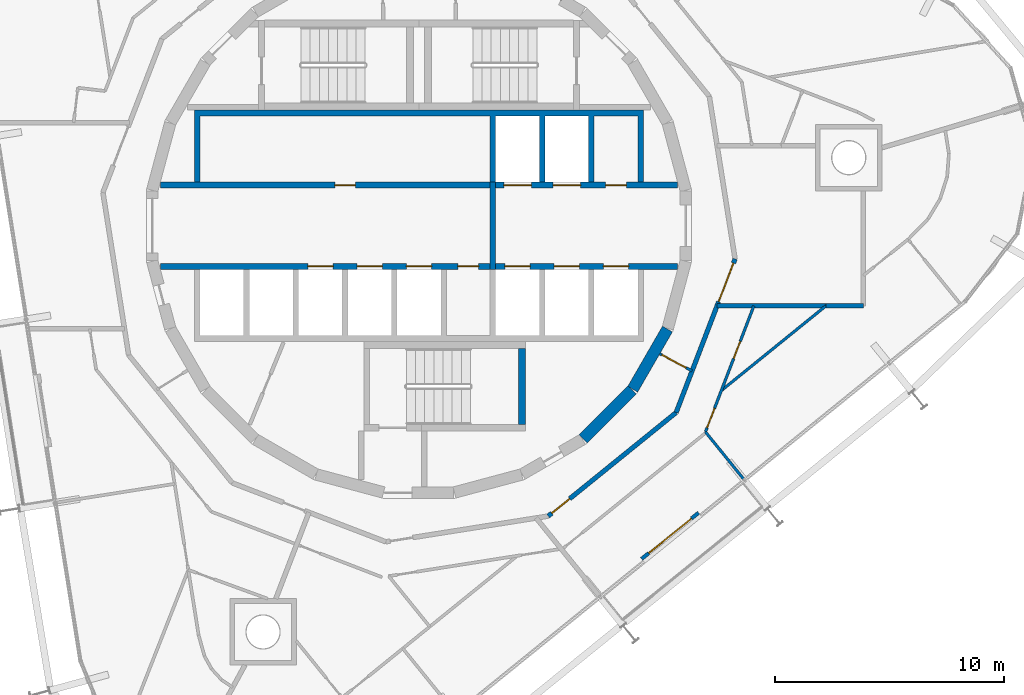
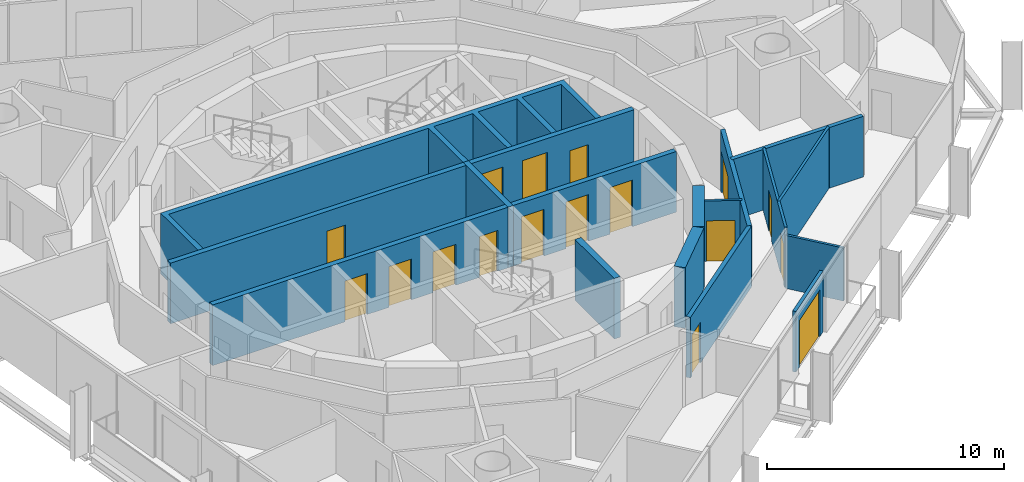
# One storey, part 13 of 17: 18 walls, 17 doors, 17 openings.
"""IFC4 building model written with IfcOpenShell, lengths in metres."""

from ifc_helpers import new_model, si_unit, direction, frame, frame_2d, origin, place, context, subcontext, project, spatial, polyline, rectangle, outline, extrude, material, layer, layer_set, type_object, element, fill, save


model = new_model("IFC4")

# Units and contexts
model_context = context("Model", 3, precision=1e-05, world=origin(), true_north=direction((0.0, 1.0)))
body_context = subcontext(model_context, "Body", "Model", "MODEL_VIEW")
ifc_project = project(units=[si_unit("LENGTHUNIT", "METRE"), si_unit("AREAUNIT", "SQUARE_METRE"), si_unit("VOLUMEUNIT", "CUBIC_METRE"), si_unit("PLANEANGLEUNIT", "RADIAN"), si_unit("MASSUNIT", "GRAM", prefix="KILO")], contexts=[model_context])

# Site, building, storey
site_placement = place(None, origin())
site = spatial("IfcSite", under=ifc_project, at=site_placement, CompositionType="ELEMENT")
building_placement = place(site_placement, origin())
building = spatial("IfcBuilding", under=site, at=building_placement, Name="Spindle Arch Residences", CompositionType="ELEMENT")
storey_placement = place(building_placement, frame((0.0, 0.0, 266.89990234375)))
storey = spatial("IfcBuildingStorey", under=building, at=storey_placement, Name="L68", CompositionType="ELEMENT", Elevation=266.89990234375)

# Walls
ifc_material_1 = material(Name="Concrete C50/60", Category="concrete")
ifc_layer_1 = layer(ifc_material_1, 0.5)
ifc_layer_set_1 = layer_set([ifc_layer_1], Name="Core outline wall 500")
wall_type_1 = type_object("IfcWallType", Name="Core outline wall 500", PredefinedType="SHEAR", material=ifc_layer_set_1)
wall_1_placement = place(storey_placement, frame((7.163818359375, -9.30810546875, 0.0), z_axis=(0.0, 0.0, 1.0), x_axis=(0.707106781187, 0.707106781187, 0.0)))
element("IfcWall", 1, at=wall_1_placement, inside=storey, type_object=wall_type_1, Name="Core outline wall 3", PredefinedType="SHEAR", context=body_context, shape_type="SweptSolid", body=[
    extrude(rectangle(XDim=3.032470703125, YDim=0.5, at=frame_2d((1.51611328125, 0.0))), origin(), (0.0, 0.0, 1.0), 3.1201171875),
])
wall_2_placement = place(storey_placement, frame((9.32861328125, -7.13671875, 0.0), z_axis=(0.0, 0.0, 1.0), x_axis=(0.500087131594, 0.865975092491, 0.0)))
element("IfcWall", 2, at=wall_2_placement, inside=storey, type_object=wall_type_1, Name="Core outline wall 4", PredefinedType="SHEAR", context=body_context, shape_type="SweptSolid", body=[
    extrude(rectangle(XDim=3.03271484375, YDim=0.5, at=frame_2d((1.516357421875, 0.0))), origin(), (0.0, 0.0, 1.0), 3.1201171875),
])

# Wall, opening, door
ifc_material_2 = material(Name="Plasterboard on steel studs", Category="steel")
ifc_layer_2 = layer(ifc_material_2, 0.1201171875)
ifc_layer_set_2 = layer_set([ifc_layer_2], Name="Corridor division wall 120")
wall_type_2 = type_object("IfcWallType", Name="Corridor division wall 120", PredefinedType="PARTITIONING", material=ifc_layer_set_2)
wall_3_placement = place(storey_placement, frame((10.510986328125, -5.5888671875, 0.0), z_axis=(0.0, 0.0, 1.0), x_axis=(0.882983002821, -0.469404960273, 0.0)))
wall_3 = element("IfcWall", 3, at=wall_3_placement, inside=storey, type_object=wall_type_2, Name="Corridor division wall R7A1-W002", PredefinedType="PARTITIONING", context=body_context, shape_type="SweptSolid", body=[
    extrude(rectangle(XDim=1.59619140625, YDim=0.1201171875, at=frame_2d((0.798095703125, 0.0))), origin(), (0.0, 0.0, 1.0), 3.1201171875),
])
opening_1_placement = place(wall_3_placement, frame((0.10009765625, 0.0, 0.0)))
opening_1 = element("IfcOpeningElement", 4, at=opening_1_placement, cuts=wall_3, Name="Opening R7A1-CD02", PredefinedType="OPENING", context=body_context, shape_type="SweptSolid", body=[
    extrude(rectangle(XDim=1.199951171875, YDim=2.10009765625, at=frame_2d((0.60009765625, 1.050048828125))), frame((0.0, 0.070068359375, 0.0), z_axis=(0.0, -1.0, 0.0), x_axis=(1.0, 0.0, 0.0)), (0.0, 0.0, 1.0), 0.14013671875),
])
ifc_material_3 = material(Name="Steel, fire-resisting door", Category="steel")
door_type_1 = type_object("IfcDoorType", Name="Corridor division door 1200x2100", OperationType="NOTDEFINED", PredefinedType="DOOR", material=ifc_material_3)
door_1_placement = place(opening_1_placement, origin())
door_1 = element("IfcDoor", 5, at=door_1_placement, inside=storey, type_object=door_type_1, Name="Corridor division door R7A1-CD02", OperationType="DOUBLE_DOOR_SINGLE_SWING", OverallHeight=2.10009765625, OverallWidth=1.199951171875, PredefinedType="DOOR", context=body_context, shape_type="SweptSolid", body=[
    extrude(rectangle(XDim=1.199951171875, YDim=2.10009765625, at=frame_2d((0.60009765625, 1.050048828125))), frame((0.0, 0.02490234375, 0.0), z_axis=(0.0, -1.0, 0.0), x_axis=(1.0, 0.0, 0.0)), (0.0, 0.0, 1.0), 0.050048828125),
])
fill(opening_1, door_1)

ifc_material_4 = material(Name="Calcium silicate block, plastered")
ifc_layer_3 = layer(ifc_material_4, 0.199951171875)
ifc_layer_set_3 = layer_set([ifc_layer_3], Name="Corridor wall 200")
wall_type_3 = type_object("IfcWallType", Name="Corridor wall 200", PredefinedType="STANDARD", material=ifc_layer_set_3)
wall_4_placement = place(storey_placement, frame((5.642578125, -12.67333984375, 0.0), z_axis=(0.0, 0.0, 1.0), x_axis=(0.777160148113, 0.629302871585, 0.0)))
wall_4 = element("IfcWall", 6, at=wall_4_placement, inside=storey, type_object=wall_type_3, Name="Corridor wall R7A1-W015", PredefinedType="STANDARD", context=body_context, shape_type="SweptSolid", body=[
    extrude(rectangle(XDim=7.180908203125, YDim=0.199951171875, at=frame_2d((3.59033203125, 0.0))), origin(), (0.0, 0.0, 1.0), 3.1201171875),
])
opening_2_placement = place(wall_4_placement, frame((0.199951171875, 0.0, 0.0)))
opening_2 = element("IfcOpeningElement", 7, at=opening_2_placement, cuts=wall_4, Name="Opening R7A1-FD06", PredefinedType="OPENING", context=body_context, shape_type="SweptSolid", body=[
    extrude(rectangle(XDim=1.0, YDim=2.10009765625, at=frame_2d((0.5, 1.050048828125))), frame((0.0, 0.10986328125, 0.0), z_axis=(0.0, -1.0, 0.0), x_axis=(1.0, 0.0, 0.0)), (0.0, 0.0, 1.0), 0.219970703125),
])
ifc_material_5 = material(Name="Timber, fire-resisting door set", Category="wood")
door_type_2 = type_object("IfcDoorType", Name="Flat entrance door 1000x2100", OperationType="NOTDEFINED", PredefinedType="DOOR", material=ifc_material_5)
door_2_placement = place(opening_2_placement, origin())
door_2 = element("IfcDoor", 8, at=door_2_placement, inside=storey, type_object=door_type_2, Name="Flat entrance door R7A1-FD06", OperationType="SINGLE_SWING_LEFT", OverallHeight=2.10009765625, OverallWidth=1.0, PredefinedType="DOOR", context=body_context, shape_type="SweptSolid", body=[
    extrude(rectangle(XDim=1.0, YDim=2.10009765625, at=frame_2d((0.5, 1.050048828125))), frame((0.0, 0.02490234375, 0.0), z_axis=(0.0, -1.0, 0.0), x_axis=(1.0, 0.0, 0.0)), (0.0, 0.0, 1.0), 0.050048828125),
])
fill(opening_2, door_2)

ifc_material_6 = material(Name="Calcium silicate block, plastered")
ifc_layer_4 = layer(ifc_material_6, 0.199951171875)
ifc_layer_set_4 = layer_set([ifc_layer_4], Name="Fire-lift lobby bay wall 200")
wall_type_4 = type_object("IfcWallType", Name="Fire-lift lobby bay wall 200", PredefinedType="STANDARD", material=ifc_layer_set_4)
wall_5_placement = place(storey_placement, frame((11.223388671875, -8.154296875, 0.0), z_axis=(0.0, 0.0, 1.0), x_axis=(0.358341090983, 0.93359073609, 0.0)))
wall_5 = element("IfcWall", 9, at=wall_5_placement, inside=storey, type_object=wall_type_4, Name="Fire-lift lobby bay wall R7A1-W004", PredefinedType="STANDARD", context=body_context, shape_type="SweptSolid", body=[
    extrude(rectangle(XDim=7.180908203125, YDim=0.199951171875, at=frame_2d((3.59033203125, 0.0))), origin(), (0.0, 0.0, 1.0), 3.1201171875),
])
opening_3_placement = place(wall_5_placement, frame((5.185302734375, 0.0, 0.0)))
opening_3 = element("IfcOpeningElement", 10, at=opening_3_placement, cuts=wall_5, Name="Opening R7A1-FB01", PredefinedType="OPENING", context=body_context, shape_type="SweptSolid", body=[
    extrude(rectangle(XDim=1.800048828125, YDim=2.10009765625, at=frame_2d((0.89990234375, 1.050048828125))), frame((0.0, 0.10986328125, 0.0), z_axis=(0.0, -1.0, 0.0), x_axis=(1.0, 0.0, 0.0)), (0.0, 0.0, 1.0), 0.219970703125),
])
ifc_material_7 = material(Name="Steel, fire-resisting door", Category="steel")
door_type_3 = type_object("IfcDoorType", Name="Fire-lift lobby bay door 1800x2100", OperationType="NOTDEFINED", PredefinedType="DOOR", material=ifc_material_7)
door_3_placement = place(opening_3_placement, origin())
door_3 = element("IfcDoor", 11, at=door_3_placement, inside=storey, type_object=door_type_3, Name="Fire-lift lobby bay door R7A1-FB01", OperationType="DOUBLE_DOOR_SINGLE_SWING", OverallHeight=2.10009765625, OverallWidth=1.800048828125, PredefinedType="DOOR", context=body_context, shape_type="SweptSolid", body=[
    extrude(rectangle(XDim=1.800048828125, YDim=2.10009765625, at=frame_2d((0.89990234375, 1.050048828125))), frame((0.0, 0.02490234375, 0.0), z_axis=(0.0, -1.0, 0.0), x_axis=(1.0, 0.0, 0.0)), (0.0, 0.0, 1.0), 0.050048828125),
])
fill(opening_3, door_3)

# Walls
wall_6_placement = place(storey_placement, frame((13.009765625, -3.5, 0.0), z_axis=(0.0, 0.0, 1.0), x_axis=(1.0, 0.0, 0.0)))
element("IfcWall", 12, at=wall_6_placement, inside=storey, type_object=wall_type_4, Name="Fire-lift lobby bay wall R7A1-W020", PredefinedType="STANDARD", context=body_context, shape_type="SweptSolid", body=[
    extrude(rectangle(XDim=4.75, YDim=0.199951171875, at=frame_2d((2.375, 0.0))), origin(), (0.0, 0.0, 1.0), 3.1201171875),
])
wall_7_placement = place(storey_placement, frame((17.759765625, -3.5, 0.0), z_axis=(0.0, 0.0, 1.0), x_axis=(1.0, 0.0, 0.0)))
element("IfcWall", 13, at=wall_7_placement, inside=storey, type_object=wall_type_4, Name="Fire-lift lobby bay wall R7A1-W022", PredefinedType="STANDARD", context=body_context, shape_type="SweptSolid", body=[
    extrude(rectangle(XDim=1.64013671875, YDim=0.199951171875, at=frame_2d((0.820068359375, 0.0))), origin(), (0.0, 0.0, 1.0), 3.1201171875),
])

# Wall, openings, doors
ifc_material_8 = material(Name="Concrete C40/50", Category="concrete")
ifc_layer_5 = layer(ifc_material_8, 0.25)
ifc_layer_set_5 = layer_set([ifc_layer_5], Name="Fire-lift lobby wall 250")
wall_type_5 = type_object("IfcWallType", Name="Fire-lift lobby wall 250", PredefinedType="SHEAR", material=ifc_layer_set_5)
wall_8_placement = place(storey_placement, frame((3.35009765625, 1.77490234375, 0.0), z_axis=(0.0, 0.0, 1.0), x_axis=(1.0, 0.0, 0.0)))
wall_8 = element("IfcWall", 14, at=wall_8_placement, inside=storey, type_object=wall_type_5, Name="Lift shaft front wall NE", PredefinedType="SHEAR", context=body_context, shape_type="SweptSolid", body=[
    extrude(rectangle(XDim=7.929931640625, YDim=0.25, at=frame_2d((3.96484375, 0.0))), origin(), (0.0, 0.0, 1.0), 3.1201171875),
])
opening_4_placement = place(wall_8_placement, frame((0.35009765625, 0.0, 0.0)))
opening_4 = element("IfcOpeningElement", 15, at=opening_4_placement, cuts=wall_8, Name="Opening R7A1-SLD01", PredefinedType="OPENING", context=body_context, shape_type="SweptSolid", body=[
    extrude(rectangle(XDim=1.199951171875, YDim=2.39990234375, at=frame_2d((0.60009765625, 1.199951171875))), frame((0.0, 0.135009765625, 0.0), z_axis=(0.0, -1.0, 0.0), x_axis=(1.0, 0.0, 0.0)), (0.0, 0.0, 1.0), 0.27001953125),
])
opening_5_placement = place(wall_8_placement, frame((2.5, 0.0, 0.0)))
opening_5 = element("IfcOpeningElement", 16, at=opening_5_placement, cuts=wall_8, Name="Opening R7A1-SLD02", PredefinedType="OPENING", context=body_context, shape_type="SweptSolid", body=[
    extrude(rectangle(XDim=1.199951171875, YDim=2.39990234375, at=frame_2d((0.60009765625, 1.199951171875))), frame((0.0, 0.135009765625, 0.0), z_axis=(0.0, -1.0, 0.0), x_axis=(1.0, 0.0, 0.0)), (0.0, 0.0, 1.0), 0.27001953125),
])
opening_6_placement = place(wall_8_placement, frame((4.800048828125, 0.0, 0.0)))
opening_6 = element("IfcOpeningElement", 17, at=opening_6_placement, cuts=wall_8, Name="Opening R7A1-WD02", PredefinedType="OPENING", context=body_context, shape_type="SweptSolid", body=[
    extrude(rectangle(XDim=0.89990234375, YDim=2.10009765625, at=frame_2d((0.449951171875, 1.050048828125))), frame((0.0, 0.135009765625, 0.0), z_axis=(0.0, -1.0, 0.0), x_axis=(1.0, 0.0, 0.0)), (0.0, 0.0, 1.0), 0.27001953125),
])
ifc_material_9 = material(Name="Steel, fire-resisting landing door", Category="steel")
door_type_4 = type_object("IfcDoorType", Name="Service lift landing door 1200x2400", OperationType="DOUBLE_DOOR_SLIDING", PredefinedType="DOOR", material=ifc_material_9)
door_4_placement = place(opening_4_placement, origin())
door_4 = element("IfcDoor", 18, at=door_4_placement, inside=storey, type_object=door_type_4, Name="Service lift landing door R7A1-SLD01", OperationType="DOUBLE_DOOR_SLIDING", OverallHeight=2.39990234375, OverallWidth=1.199951171875, PredefinedType="DOOR", context=body_context, shape_type="SweptSolid", body=[
    extrude(rectangle(XDim=1.199951171875, YDim=2.39990234375, at=frame_2d((0.60009765625, 1.199951171875))), frame((0.0, 0.02490234375, 0.0), z_axis=(0.0, -1.0, 0.0), x_axis=(1.0, 0.0, 0.0)), (0.0, 0.0, 1.0), 0.050048828125),
])
fill(opening_4, door_4)
door_5_placement = place(opening_5_placement, origin())
door_5 = element("IfcDoor", 19, at=door_5_placement, inside=storey, type_object=door_type_4, Name="Service lift landing door R7A1-SLD02", OperationType="DOUBLE_DOOR_SLIDING", OverallHeight=2.39990234375, OverallWidth=1.199951171875, PredefinedType="DOOR", context=body_context, shape_type="SweptSolid", body=[
    extrude(rectangle(XDim=1.199951171875, YDim=2.39990234375, at=frame_2d((0.60009765625, 1.199951171875))), frame((0.0, 0.02490234375, 0.0), z_axis=(0.0, -1.0, 0.0), x_axis=(1.0, 0.0, 0.0)), (0.0, 0.0, 1.0), 0.050048828125),
])
fill(opening_5, door_5)
ifc_material_10 = material(Name="Steel, fire-resisting door", Category="steel")
door_type_5 = type_object("IfcDoorType", Name="Service room door 900x2100", OperationType="SINGLE_SWING_LEFT", PredefinedType="DOOR", material=ifc_material_10)
door_6_placement = place(opening_6_placement, origin())
door_6 = element("IfcDoor", 20, at=door_6_placement, inside=storey, type_object=door_type_5, Name="Service room door R7A1-WD02", OperationType="SINGLE_SWING_RIGHT", OverallHeight=2.10009765625, OverallWidth=0.89990234375, PredefinedType="DOOR", context=body_context, shape_type="SweptSolid", body=[
    extrude(rectangle(XDim=0.89990234375, YDim=2.10009765625, at=frame_2d((0.449951171875, 1.050048828125))), frame((0.0, 0.02490234375, 0.0), z_axis=(0.0, -1.0, 0.0), x_axis=(1.0, 0.0, 0.0)), (0.0, 0.0, 1.0), 0.050048828125),
])
fill(opening_6, door_6)

# Wall
wall_9_placement = place(storey_placement, frame((3.22509765625, -1.89990234375, 0.0), z_axis=(0.0, 0.0, 1.0), x_axis=(0.0, 1.0, 0.0)))
element("IfcWall", 21, at=wall_9_placement, inside=storey, type_object=wall_type_5, Name="Fire-fighting lobby partition", PredefinedType="SHEAR", context=body_context, shape_type="SweptSolid", body=[
    extrude(rectangle(XDim=3.7998046875, YDim=0.25, at=frame_2d((1.89990234375, 0.0))), origin(), (0.0, 0.0, 1.0), 3.1201171875),
])

# Wall, openings, doors
ifc_material_11 = material(Name="Concrete C50/60", Category="concrete")
ifc_layer_6 = layer(ifc_material_11, 0.25)
ifc_layer_set_6 = layer_set([ifc_layer_6], Name="Fire-lift shaft wall 250")
wall_type_6 = type_object("IfcWallType", Name="Fire-lift shaft wall 250", PredefinedType="SHEAR", material=ifc_layer_set_6)
wall_10_placement = place(storey_placement, frame((3.35009765625, -1.77490234375, 0.0), z_axis=(0.0, 0.0, 1.0), x_axis=(1.0, 0.0, 0.0)))
wall_10 = element("IfcWall", 22, at=wall_10_placement, inside=storey, type_object=wall_type_6, Name="Lift shaft front wall SE", PredefinedType="SHEAR", context=body_context, shape_type="SweptSolid", body=[
    extrude(rectangle(XDim=7.929931640625, YDim=0.25, at=frame_2d((3.96484375, 0.0))), origin(), (0.0, 0.0, 1.0), 3.1201171875),
])
opening_7_placement = place(wall_10_placement, frame((0.39990234375, 0.0, 0.0)))
opening_7 = element("IfcOpeningElement", 23, at=opening_7_placement, cuts=wall_10, Name="Opening R7A1-FLD01", PredefinedType="OPENING", context=body_context, shape_type="SweptSolid", body=[
    extrude(rectangle(XDim=1.10009765625, YDim=2.39990234375, at=frame_2d((0.550048828125, 1.199951171875))), frame((0.0, 0.135009765625, 0.0), z_axis=(0.0, -1.0, 0.0), x_axis=(1.0, 0.0, 0.0)), (0.0, 0.0, 1.0), 0.27001953125),
])
opening_8_placement = place(wall_10_placement, frame((2.550048828125, 0.0, 0.0)))
opening_8 = element("IfcOpeningElement", 24, at=opening_8_placement, cuts=wall_10, Name="Opening R7A1-FLD02", PredefinedType="OPENING", context=body_context, shape_type="SweptSolid", body=[
    extrude(rectangle(XDim=1.10009765625, YDim=2.39990234375, at=frame_2d((0.550048828125, 1.199951171875))), frame((0.0, 0.135009765625, 0.0), z_axis=(0.0, -1.0, 0.0), x_axis=(1.0, 0.0, 0.0)), (0.0, 0.0, 1.0), 0.27001953125),
])
opening_9_placement = place(wall_10_placement, frame((4.699951171875, 0.0, 0.0)))
opening_9 = element("IfcOpeningElement", 25, at=opening_9_placement, cuts=wall_10, Name="Opening R7A1-FLD03", PredefinedType="OPENING", context=body_context, shape_type="SweptSolid", body=[
    extrude(rectangle(XDim=1.10009765625, YDim=2.39990234375, at=frame_2d((0.550048828125, 1.199951171875))), frame((0.0, 0.135009765625, 0.0), z_axis=(0.0, -1.0, 0.0), x_axis=(1.0, 0.0, 0.0)), (0.0, 0.0, 1.0), 0.27001953125),
])
ifc_material_12 = material(Name="Steel, fire-resisting landing door", Category="steel")
door_type_6 = type_object("IfcDoorType", Name="Fire-fighting lift landing door 1100x2400", OperationType="DOUBLE_DOOR_SLIDING", PredefinedType="DOOR", material=ifc_material_12)
door_7_placement = place(opening_7_placement, origin())
door_7 = element("IfcDoor", 26, at=door_7_placement, inside=storey, type_object=door_type_6, Name="Fire-fighting lift landing door R7A1-FLD01", OperationType="DOUBLE_DOOR_SLIDING", OverallHeight=2.39990234375, OverallWidth=1.10009765625, PredefinedType="DOOR", context=body_context, shape_type="SweptSolid", body=[
    extrude(rectangle(XDim=1.10009765625, YDim=2.39990234375, at=frame_2d((0.550048828125, 1.199951171875))), frame((0.0, 0.02490234375, 0.0), z_axis=(0.0, -1.0, 0.0), x_axis=(1.0, 0.0, 0.0)), (0.0, 0.0, 1.0), 0.050048828125),
])
fill(opening_7, door_7)
door_8_placement = place(opening_8_placement, origin())
door_8 = element("IfcDoor", 27, at=door_8_placement, inside=storey, type_object=door_type_6, Name="Fire-fighting lift landing door R7A1-FLD02", OperationType="DOUBLE_DOOR_SLIDING", OverallHeight=2.39990234375, OverallWidth=1.10009765625, PredefinedType="DOOR", context=body_context, shape_type="SweptSolid", body=[
    extrude(rectangle(XDim=1.10009765625, YDim=2.39990234375, at=frame_2d((0.550048828125, 1.199951171875))), frame((0.0, 0.02490234375, 0.0), z_axis=(0.0, -1.0, 0.0), x_axis=(1.0, 0.0, 0.0)), (0.0, 0.0, 1.0), 0.050048828125),
])
fill(opening_8, door_8)
door_9_placement = place(opening_9_placement, origin())
door_9 = element("IfcDoor", 28, at=door_9_placement, inside=storey, type_object=door_type_6, Name="Fire-fighting lift landing door R7A1-FLD03", OperationType="DOUBLE_DOOR_SLIDING", OverallHeight=2.39990234375, OverallWidth=1.10009765625, PredefinedType="DOOR", context=body_context, shape_type="SweptSolid", body=[
    extrude(rectangle(XDim=1.10009765625, YDim=2.39990234375, at=frame_2d((0.550048828125, 1.199951171875))), frame((0.0, 0.02490234375, 0.0), z_axis=(0.0, -1.0, 0.0), x_axis=(1.0, 0.0, 0.0)), (0.0, 0.0, 1.0), 0.050048828125),
])
fill(opening_9, door_9)

ifc_material_13 = material(Name="Plasterboard on steel studs", Category="steel")
ifc_layer_7 = layer(ifc_material_13, 0.1201171875)
ifc_layer_set_7 = layer_set([ifc_layer_7], Name="Flat partition 120")
wall_type_7 = type_object("IfcWallType", Name="Flat partition 120", PredefinedType="PARTITIONING", material=ifc_layer_set_7)
wall_11_placement = place(storey_placement, frame((12.5048828125, -9.000732421875, 0.0), z_axis=(0.0, 0.0, 1.0), x_axis=(0.358373707046, 0.933578216379, 0.0)))
wall_11 = element("IfcWall", 29, at=wall_11_placement, inside=storey, type_object=wall_type_7, Name="Flat partition R7A1-W086", PredefinedType="PARTITIONING", context=body_context, shape_type="SweptSolid", body=[
    extrude(rectangle(XDim=5.89208984375, YDim=0.1201171875, at=frame_2d((2.946044921875, 0.0))), origin(), (0.0, 0.0, 1.0), 3.1201171875),
])
opening_10_placement = place(wall_11_placement, frame((0.199951171875, 0.0, 0.0)))
opening_10 = element("IfcOpeningElement", 30, at=opening_10_placement, cuts=wall_11, Name="Opening R7A1-ID24", PredefinedType="OPENING", context=body_context, shape_type="SweptSolid", body=[
    extrude(rectangle(XDim=0.89990234375, YDim=2.10009765625, at=frame_2d((0.449951171875, 1.050048828125))), frame((0.0, 0.070068359375, 0.0), z_axis=(0.0, -1.0, 0.0), x_axis=(1.0, 0.0, 0.0)), (0.0, 0.0, 1.0), 0.14013671875),
])
opening_11_placement = place(wall_11_placement, frame((3.435791015625, 0.0, 0.0)))
opening_11 = element("IfcOpeningElement", 31, at=opening_11_placement, cuts=wall_11, Name="Opening R7A1-BD06", PredefinedType="OPENING", context=body_context, shape_type="SweptSolid", body=[
    extrude(rectangle(XDim=0.800048828125, YDim=2.10009765625, at=frame_2d((0.39990234375, 1.050048828125))), frame((0.0, 0.070068359375, 0.0), z_axis=(0.0, -1.0, 0.0), x_axis=(1.0, 0.0, 0.0)), (0.0, 0.0, 1.0), 0.14013671875),
])
ifc_material_14 = material(Name="Timber door set", Category="wood")
door_type_7 = type_object("IfcDoorType", Name="Bathroom door 800x2100", OperationType="NOTDEFINED", PredefinedType="DOOR", material=ifc_material_14)
door_10_placement = place(opening_11_placement, origin())
door_10 = element("IfcDoor", 32, at=door_10_placement, inside=storey, type_object=door_type_7, Name="Bathroom door R7A1-BD06", OperationType="SINGLE_SWING_RIGHT", OverallHeight=2.10009765625, OverallWidth=0.800048828125, PredefinedType="DOOR", context=body_context, shape_type="SweptSolid", body=[
    extrude(rectangle(XDim=0.800048828125, YDim=2.10009765625, at=frame_2d((0.39990234375, 1.050048828125))), frame((0.0, 0.02490234375, 0.0), z_axis=(0.0, -1.0, 0.0), x_axis=(1.0, 0.0, 0.0)), (0.0, 0.0, 1.0), 0.050048828125),
])
fill(opening_11, door_10)
ifc_material_15 = material(Name="Timber door set", Category="wood")
door_type_8 = type_object("IfcDoorType", Name="Room door 900x2100", OperationType="NOTDEFINED", PredefinedType="DOOR", material=ifc_material_15)
door_11_placement = place(opening_10_placement, origin())
door_11 = element("IfcDoor", 33, at=door_11_placement, inside=storey, type_object=door_type_8, Name="Room door R7A1-ID24", OperationType="SINGLE_SWING_RIGHT", OverallHeight=2.10009765625, OverallWidth=0.89990234375, PredefinedType="DOOR", context=body_context, shape_type="SweptSolid", body=[
    extrude(rectangle(XDim=0.89990234375, YDim=2.10009765625, at=frame_2d((0.449951171875, 1.050048828125))), frame((0.0, 0.02490234375, 0.0), z_axis=(0.0, -1.0, 0.0), x_axis=(1.0, 0.0, 0.0)), (0.0, 0.0, 1.0), 0.050048828125),
])
fill(opening_10, door_11)

# Walls
wall_12_placement = place(storey_placement, frame((17.759765625, -3.5, 0.0), z_axis=(0.0, 0.0, 1.0), x_axis=(-0.777133455716, -0.62933583404, 0.0)))
element("IfcWall", 34, at=wall_12_placement, inside=storey, type_object=wall_type_7, Name="Flat partition R7A1-W095", PredefinedType="PARTITIONING", context=body_context, shape_type="SweptSolid", body=[
    extrude(rectangle(XDim=5.869140625, YDim=0.1201171875, at=frame_2d((2.9345703125, 0.0))), origin(), (0.0, 0.0, 1.0), 3.1201171875),
])
ifc_material_16 = material(Name="Plasterboard on steel studs", Category="steel")
ifc_layer_8 = layer(ifc_material_16, 0.1201171875)
ifc_layer_set_8 = layer_set([ifc_layer_8], Name="Flat partition 120 under beam 2730")
wall_type_8 = type_object("IfcWallType", Name="Flat partition 120 under beam 2730", PredefinedType="PARTITIONING", material=ifc_layer_set_8)
wall_13_placement = place(storey_placement, frame((14.161376953125, -11.04638671875, 0.0), z_axis=(0.0, 0.0, 1.0), x_axis=(-0.62931028473, 0.777154145284, 0.0)))
element("IfcWall", 35, at=wall_13_placement, inside=storey, type_object=wall_type_8, Name="Flat partition R7A1-W094", PredefinedType="PARTITIONING", context=body_context, shape_type="SweptSolid", body=[
    extrude(rectangle(XDim=2.63232421875, YDim=0.1201171875, at=frame_2d((1.316162109375, 0.0))), origin(), (0.0, 0.0, 1.0), 2.72998046875),
])

# Wall, opening, door
ifc_material_17 = material(Name="Non-combustible mineral wool insulated aluminium faced external wall (K0)", Category="aluminium")
ifc_layer_9 = layer(ifc_material_17, 0.159912109375)
ifc_layer_set_9 = layer_set([ifc_layer_9], Name="Insulated external wall panel 160")
wall_type_9 = type_object("IfcWallType", Name="Insulated external wall panel 160", PredefinedType="STANDARD", material=ifc_layer_set_9)
wall_14_placement = place(storey_placement, frame((9.71728515625, -14.542236328125, 0.0), z_axis=(0.0, 0.0, 1.0), x_axis=(0.777125818, 0.629345265333, 0.0)))
wall_14 = element("IfcWall", 36, at=wall_14_placement, inside=storey, type_object=wall_type_9, Name="External wall L68 bay 20", PredefinedType="STANDARD", context=body_context, shape_type="SweptSolid", body=[
    extrude(rectangle(XDim=3.199951171875, YDim=0.159912109375, at=frame_2d((1.60009765625, 0.0))), origin(), (0.0, 0.0, 1.0), 3.1201171875),
])
opening_12_placement = place(wall_14_placement, frame((0.39990234375, 0.0, 0.0)))
opening_12 = element("IfcOpeningElement", 37, at=opening_12_placement, cuts=wall_14, Name="Opening BD20", PredefinedType="OPENING", context=body_context, shape_type="SweptSolid", body=[
    extrude(rectangle(XDim=2.39990234375, YDim=2.39990234375, at=frame_2d((1.199951171875, 1.199951171875))), frame((0.0, 0.08984375, 0.0), z_axis=(0.0, -1.0, 0.0), x_axis=(1.0, 0.0, 0.0)), (0.0, 0.0, 1.0), 0.179931640625),
])
ifc_material_18 = material(Name="Bronze aluminium frame, tinted double glazing", Category="aluminium")
door_type_9 = type_object("IfcDoorType", Name="Sliding glazed balcony door 2400x2400", OperationType="DOUBLE_DOOR_SLIDING", PredefinedType="DOOR", material=ifc_material_18)
door_12_placement = place(opening_12_placement, origin())
door_12 = element("IfcDoor", 38, at=door_12_placement, inside=storey, type_object=door_type_9, Name="Balcony door BD20", OperationType="DOUBLE_DOOR_SLIDING", OverallHeight=2.39990234375, OverallWidth=2.39990234375, PredefinedType="DOOR", context=body_context, shape_type="SweptSolid", body=[
    extrude(rectangle(XDim=2.39990234375, YDim=2.39990234375, at=frame_2d((1.199951171875, 1.199951171875))), frame((0.0, 0.02490234375, 0.0), z_axis=(0.0, -1.0, 0.0), x_axis=(1.0, 0.0, 0.0)), (0.0, 0.0, 1.0), 0.050048828125),
])
fill(opening_12, door_12)

ifc_material_19 = material(Name="Concrete C50/60", Category="concrete")
ifc_layer_10 = layer(ifc_material_19, 0.25)
ifc_layer_set_10 = layer_set([ifc_layer_10], Name="Lift shaft wall 250")
wall_type_10 = type_object("IfcWallType", Name="Lift shaft wall 250", PredefinedType="SHEAR", material=ifc_layer_set_10)
wall_15_placement = place(storey_placement, frame((-11.280029296875, 1.77490234375, 0.0), z_axis=(0.0, 0.0, 1.0), x_axis=(1.0, 0.0, 0.0)))
wall_15 = element("IfcWall", 39, at=wall_15_placement, inside=storey, type_object=wall_type_10, Name="Lift shaft front wall NW", PredefinedType="SHEAR", context=body_context, shape_type="SweptSolid", body=[
    extrude(rectangle(XDim=14.380126953125, YDim=0.25, at=frame_2d((7.18994140625, 0.0))), origin(), (0.0, 0.0, 1.0), 3.1201171875),
])
opening_13_placement = place(wall_15_placement, frame((7.60498046875, 0.0, 0.0)))
opening_13 = element("IfcOpeningElement", 40, at=opening_13_placement, cuts=wall_15, Name="Opening R7A1-WD01", PredefinedType="OPENING", context=body_context, shape_type="SweptSolid", body=[
    extrude(rectangle(XDim=0.89990234375, YDim=2.10009765625, at=frame_2d((0.449951171875, 1.050048828125))), frame((0.0, 0.135009765625, 0.0), z_axis=(0.0, -1.0, 0.0), x_axis=(1.0, 0.0, 0.0)), (0.0, 0.0, 1.0), 0.27001953125),
])
door_13_placement = place(opening_13_placement, origin())
door_13 = element("IfcDoor", 41, at=door_13_placement, inside=storey, type_object=door_type_5, Name="Service room door R7A1-WD01", OperationType="SINGLE_SWING_LEFT", OverallHeight=2.10009765625, OverallWidth=0.89990234375, PredefinedType="DOOR", context=body_context, shape_type="SweptSolid", body=[
    extrude(rectangle(XDim=0.89990234375, YDim=2.10009765625, at=frame_2d((0.449951171875, 1.050048828125))), frame((0.0, 0.02490234375, 0.0), z_axis=(0.0, -1.0, 0.0), x_axis=(1.0, 0.0, 0.0)), (0.0, 0.0, 1.0), 0.050048828125),
])
fill(opening_13, door_13)

# Wall, openings, doors
wall_16_placement = place(storey_placement, frame((-11.280029296875, -1.77490234375, 0.0), z_axis=(0.0, 0.0, 1.0), x_axis=(1.0, 0.0, 0.0)))
wall_16 = element("IfcWall", 42, at=wall_16_placement, inside=storey, type_object=wall_type_10, Name="Lift shaft front wall SW", PredefinedType="SHEAR", context=body_context, shape_type="SweptSolid", body=[
    extrude(rectangle(XDim=14.380126953125, YDim=0.25, at=frame_2d((7.18994140625, 0.0))), origin(), (0.0, 0.0, 1.0), 3.1201171875),
])
opening_14_placement = place(wall_16_placement, frame((6.429931640625, 0.0, 0.0)))
opening_14 = element("IfcOpeningElement", 43, at=opening_14_placement, cuts=wall_16, Name="Opening R7A1-LD01", PredefinedType="OPENING", context=body_context, shape_type="SweptSolid", body=[
    extrude(rectangle(XDim=1.10009765625, YDim=2.10009765625, at=frame_2d((0.550048828125, 1.050048828125))), frame((0.0, 0.135009765625, 0.0), z_axis=(0.0, -1.0, 0.0), x_axis=(1.0, 0.0, 0.0)), (0.0, 0.0, 1.0), 0.27001953125),
])
opening_15_placement = place(wall_16_placement, frame((8.580078125, 0.0, 0.0)))
opening_15 = element("IfcOpeningElement", 44, at=opening_15_placement, cuts=wall_16, Name="Opening R7A1-LD02", PredefinedType="OPENING", context=body_context, shape_type="SweptSolid", body=[
    extrude(rectangle(XDim=1.10009765625, YDim=2.10009765625, at=frame_2d((0.550048828125, 1.050048828125))), frame((0.0, 0.135009765625, 0.0), z_axis=(0.0, -1.0, 0.0), x_axis=(1.0, 0.0, 0.0)), (0.0, 0.0, 1.0), 0.27001953125),
])
opening_16_placement = place(wall_16_placement, frame((10.72998046875, 0.0, 0.0)))
opening_16 = element("IfcOpeningElement", 45, at=opening_16_placement, cuts=wall_16, Name="Opening R7A1-LD03", PredefinedType="OPENING", context=body_context, shape_type="SweptSolid", body=[
    extrude(rectangle(XDim=1.10009765625, YDim=2.10009765625, at=frame_2d((0.550048828125, 1.050048828125))), frame((0.0, 0.135009765625, 0.0), z_axis=(0.0, -1.0, 0.0), x_axis=(1.0, 0.0, 0.0)), (0.0, 0.0, 1.0), 0.27001953125),
])
opening_17_placement = place(wall_16_placement, frame((12.97998046875, 0.0, 0.0)))
opening_17 = element("IfcOpeningElement", 46, at=opening_17_placement, cuts=wall_16, Name="Opening R7A1-WD03", PredefinedType="OPENING", context=body_context, shape_type="SweptSolid", body=[
    extrude(rectangle(XDim=0.89990234375, YDim=2.10009765625, at=frame_2d((0.449951171875, 1.050048828125))), frame((0.0, 0.135009765625, 0.0), z_axis=(0.0, -1.0, 0.0), x_axis=(1.0, 0.0, 0.0)), (0.0, 0.0, 1.0), 0.27001953125),
])
ifc_material_20 = material(Name="Steel, fire-resisting landing door", Category="steel")
door_type_10 = type_object("IfcDoorType", Name="Lift landing door 1100x2100", OperationType="DOUBLE_DOOR_SLIDING", PredefinedType="DOOR", material=ifc_material_20)
door_14_placement = place(opening_14_placement, origin())
door_14 = element("IfcDoor", 47, at=door_14_placement, inside=storey, type_object=door_type_10, Name="Lift landing door R7A1-LD01", OperationType="DOUBLE_DOOR_SLIDING", OverallHeight=2.10009765625, OverallWidth=1.10009765625, PredefinedType="DOOR", context=body_context, shape_type="SweptSolid", body=[
    extrude(rectangle(XDim=1.10009765625, YDim=2.10009765625, at=frame_2d((0.550048828125, 1.050048828125))), frame((0.0, 0.02490234375, 0.0), z_axis=(0.0, -1.0, 0.0), x_axis=(1.0, 0.0, 0.0)), (0.0, 0.0, 1.0), 0.050048828125),
])
fill(opening_14, door_14)
door_15_placement = place(opening_15_placement, origin())
door_15 = element("IfcDoor", 48, at=door_15_placement, inside=storey, type_object=door_type_10, Name="Lift landing door R7A1-LD02", OperationType="DOUBLE_DOOR_SLIDING", OverallHeight=2.10009765625, OverallWidth=1.10009765625, PredefinedType="DOOR", context=body_context, shape_type="SweptSolid", body=[
    extrude(rectangle(XDim=1.10009765625, YDim=2.10009765625, at=frame_2d((0.550048828125, 1.050048828125))), frame((0.0, 0.02490234375, 0.0), z_axis=(0.0, -1.0, 0.0), x_axis=(1.0, 0.0, 0.0)), (0.0, 0.0, 1.0), 0.050048828125),
])
fill(opening_15, door_15)
door_16_placement = place(opening_16_placement, origin())
door_16 = element("IfcDoor", 49, at=door_16_placement, inside=storey, type_object=door_type_10, Name="Lift landing door R7A1-LD03", OperationType="DOUBLE_DOOR_SLIDING", OverallHeight=2.10009765625, OverallWidth=1.10009765625, PredefinedType="DOOR", context=body_context, shape_type="SweptSolid", body=[
    extrude(rectangle(XDim=1.10009765625, YDim=2.10009765625, at=frame_2d((0.550048828125, 1.050048828125))), frame((0.0, 0.02490234375, 0.0), z_axis=(0.0, -1.0, 0.0), x_axis=(1.0, 0.0, 0.0)), (0.0, 0.0, 1.0), 0.050048828125),
])
fill(opening_16, door_16)
door_17_placement = place(opening_17_placement, origin())
door_17 = element("IfcDoor", 50, at=door_17_placement, inside=storey, type_object=door_type_5, Name="Service room door R7A1-WD03", OperationType="SINGLE_SWING_LEFT", OverallHeight=2.10009765625, OverallWidth=0.89990234375, PredefinedType="DOOR", context=body_context, shape_type="SweptSolid", body=[
    extrude(rectangle(XDim=0.89990234375, YDim=2.10009765625, at=frame_2d((0.449951171875, 1.050048828125))), frame((0.0, 0.02490234375, 0.0), z_axis=(0.0, -1.0, 0.0), x_axis=(1.0, 0.0, 0.0)), (0.0, 0.0, 1.0), 0.050048828125),
])
fill(opening_17, door_17)

# Walls
ifc_material_21 = material(Name="Concrete C50/60", Category="concrete")
wall_type_11 = type_object("IfcWallType", Name="Lift shaft wall profile", PredefinedType="SHEAR", material=ifc_material_21)
wall_17_placement = place(storey_placement, origin())
element("IfcWall", 51, at=wall_17_placement, inside=storey, type_object=wall_type_11, Name="Lift shaft walls N", PredefinedType="SHEAR", context=body_context, shape_type="SweptSolid", body=[
    extrude(outline(polyline([(-9.800048828125, 1.89990234375), (-9.550048828125, 1.89990234375), (-9.550048828125, 4.800048828125), (3.10009765625, 4.800048828125), (3.10009765625, 1.89990234375), (3.35009765625, 1.89990234375), (3.35009765625, 4.800048828125), (5.25, 4.800048828125), (5.25, 1.89990234375), (5.5, 1.89990234375), (5.5, 4.800048828125), (7.39990234375, 4.800048828125), (7.39990234375, 1.89990234375), (7.64990234375, 1.89990234375), (7.64990234375, 4.800048828125), (9.550048828125, 4.800048828125), (9.550048828125, 1.89990234375), (9.800048828125, 1.89990234375), (9.800048828125, 4.800048828125), (9.800048828125, 5.050048828125), (-9.800048828125, 5.050048828125), (-9.800048828125, 4.800048828125), (-9.800048828125, 1.89990234375)])), origin(), (0.0, 0.0, 1.0), 3.1201171875),
])
ifc_material_22 = material(Name="Concrete C50/60", Category="concrete")
ifc_layer_11 = layer(ifc_material_22, 0.300048828125)
ifc_layer_set_11 = layer_set([ifc_layer_11], Name="Stair enclosure wall 300")
wall_type_12 = type_object("IfcWallType", Name="Stair enclosure wall 300", PredefinedType="SHEAR", material=ifc_layer_set_11)
wall_18_placement = place(storey_placement, frame((4.5, -8.669921875, 0.0), z_axis=(0.0, 0.0, 1.0), x_axis=(0.0, 1.0, 0.0)))
element("IfcWall", 52, at=wall_18_placement, inside=storey, type_object=wall_type_12, Name="Stair ST-3 enclosure wall E", PredefinedType="SHEAR", context=body_context, shape_type="SweptSolid", body=[
    extrude(rectangle(XDim=3.31982421875, YDim=0.300048828125, at=frame_2d((1.659912109375, 0.0))), origin(), (0.0, 0.0, 1.0), 3.1201171875),
])

save(model, "model.ifc")
